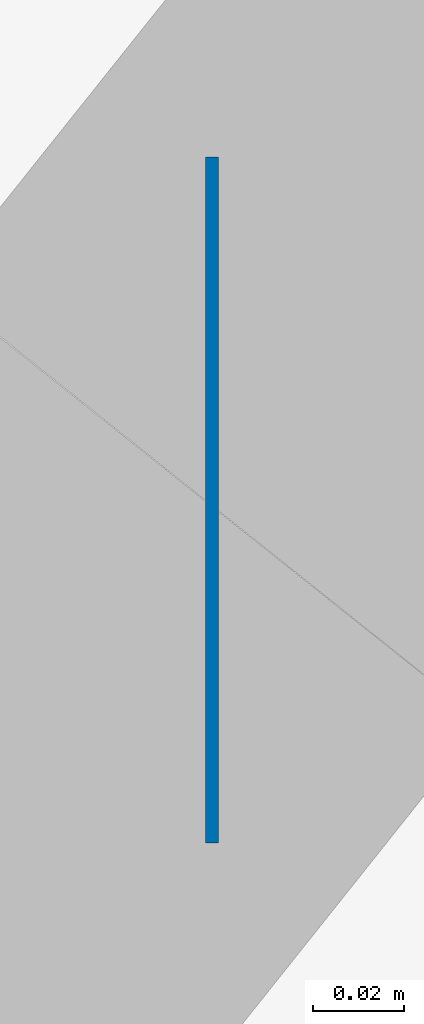
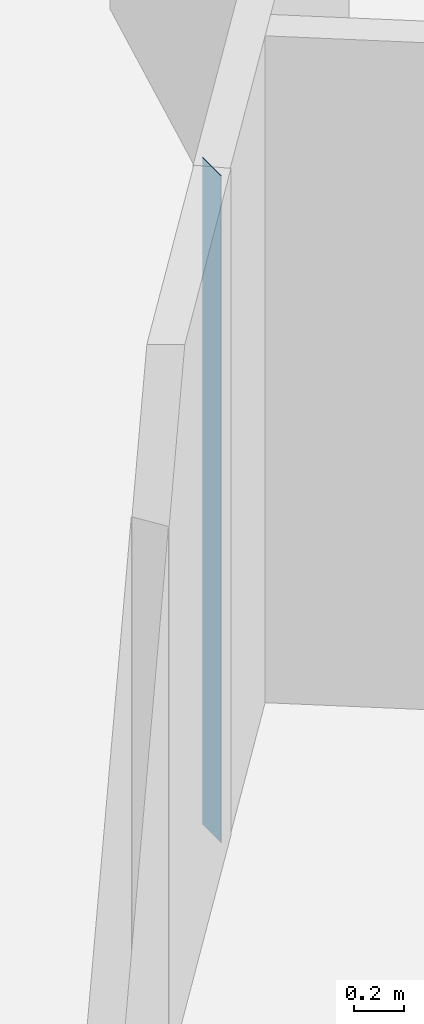
# One storey, part 5 of 13: 1 wall.
"""IFC4 building model written with IfcOpenShell, lengths in metres."""

from ifc_helpers import new_model, si_unit, direction, frame, frame_2d, origin, place, context, subcontext, project, spatial, rectangle, extrude, material, layer, layer_set, type_object, element, save


model = new_model("IFC4")

# Units and contexts
model_context = context("Model", 3, precision=1e-05, world=origin(), true_north=direction((0.0, 1.0)))
body_context = subcontext(model_context, "Body", "Model", "MODEL_VIEW")
ifc_project = project(units=[si_unit("LENGTHUNIT", "METRE"), si_unit("AREAUNIT", "SQUARE_METRE"), si_unit("VOLUMEUNIT", "CUBIC_METRE"), si_unit("PLANEANGLEUNIT", "RADIAN"), si_unit("MASSUNIT", "GRAM", prefix="KILO")], contexts=[model_context])

# Site, building, storey
site_placement = place(None, origin())
site = spatial("IfcSite", under=ifc_project, at=site_placement, CompositionType="ELEMENT")
building_placement = place(site_placement, origin())
building = spatial("IfcBuilding", under=site, at=building_placement, Name="Tracery Tower", CompositionType="ELEMENT")
storey_placement = place(building_placement, frame((0.0, 0.0, 298.199951171875)))
storey = spatial("IfcBuildingStorey", under=building, at=storey_placement, Name="L77", CompositionType="ELEMENT", Elevation=298.199951171875)

# Wall
ifc_material = material(Name="Plasterboard on steel studs", Category="steel")
ifc_layer = layer(ifc_material, 0.14990234375)
ifc_layer_set = layer_set([ifc_layer], Name="Partition 150 corridor wall")
wall_type = type_object("IfcWallType", Name="Partition 150 corridor wall", PredefinedType="PARTITIONING", material=ifc_layer_set)
wall_placement = place(storey_placement, frame((11.136962890625, -8.800048828125, 0.0), z_axis=(0.0, 0.0, 1.0), x_axis=(-1.0, 0.0, 0.0)))
element("IfcWall", 1, at=wall_placement, inside=storey, type_object=wall_type, Name="Corridor wall RC7-018", PredefinedType="PARTITIONING", context=body_context, shape_type="SweptSolid", body=[
    extrude(rectangle(XDim=0.0029296875, YDim=0.14990234375, at=frame_2d((0.00146484375, 0.0))), origin(), (0.0, 0.0, 1.0), 3.25),
])

save(model, "model.ifc")
